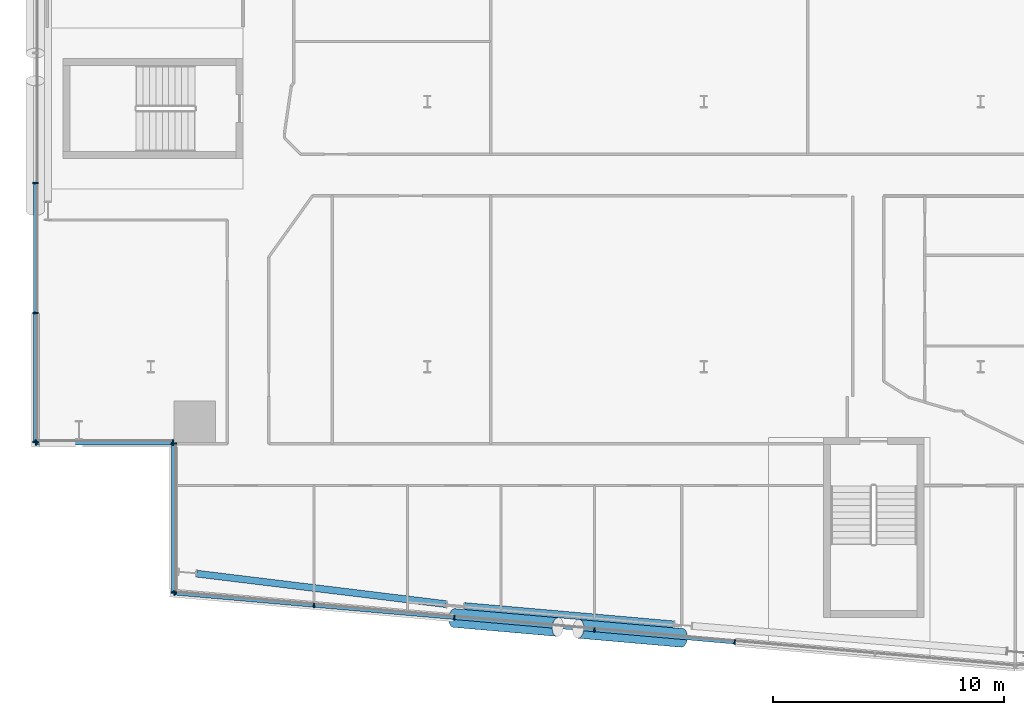
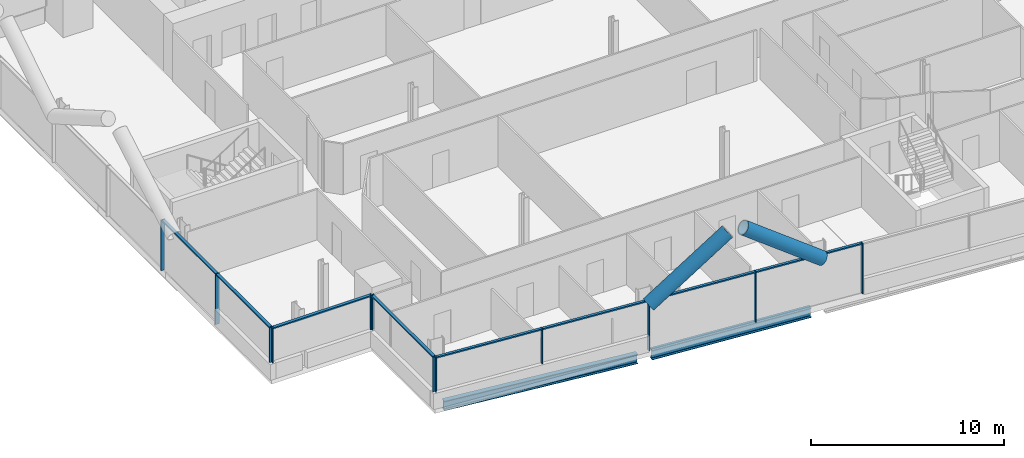
# One storey, part 5 of 27: 22 members, 2 beams, 4 elements without a shape of their own.
"""IFC4 building model written with IfcOpenShell, lengths in metres."""

from ifc_helpers import new_model, si_unit, direction, frame, origin, origin_2d, place, context, subcontext, project, spatial, rectangle, hollow_circle, i_section, extrude, material, material_profile, profile_set, type_object, element, aggregate, save


model = new_model("IFC4")

# Units and contexts
model_context = context("Model", 3, precision=1e-05, world=origin(), true_north=direction((0.0, 1.0)))
body_context = subcontext(model_context, "Body", "Model", "MODEL_VIEW")
ifc_project = project(units=[si_unit("LENGTHUNIT", "METRE"), si_unit("AREAUNIT", "SQUARE_METRE"), si_unit("VOLUMEUNIT", "CUBIC_METRE"), si_unit("PLANEANGLEUNIT", "RADIAN"), si_unit("MASSUNIT", "GRAM", prefix="KILO")], contexts=[model_context])

# Site, building, storey
site_placement = place(None, origin())
site = spatial("IfcSite", under=ifc_project, at=site_placement, CompositionType="ELEMENT")
building_placement = place(site_placement, origin())
building = spatial("IfcBuilding", under=site, at=building_placement, Name="Wharfspan Tower", CompositionType="ELEMENT")
storey_placement = place(building_placement, frame((0.0, 0.0, 136.300049)))
storey = spatial("IfcBuildingStorey", under=building, at=storey_placement, Name="L32", CompositionType="ELEMENT", Elevation=136.300049)

# Beams
ifc_material_1 = material(Name="Steel S355J2", Category="steel")
ifc_material_profile_1 = material_profile(ifc_material_1, i_section(OverallWidth=0.300049, OverallDepth=0.600098, WebThickness=0.015381, FlangeThickness=0.030029, FilletRadius=0.0271, at=origin_2d()))
ifc_profile_set_1 = profile_set([ifc_material_profile_1], Name="Steel S355J2")
beam_type = type_object("IfcBeamType", Name="Edge beam HEB 600", PredefinedType="SPANDREL", material=ifc_profile_set_1)
beam_1_placement = place(storey_placement, frame((13.990967, 2.520508, -0.699951), z_axis=(0.992611, -0.121342, 0.0), x_axis=(0.121342, 0.992611, 0.0)))
element("IfcBeam", 1, at=beam_1_placement, inside=storey, type_object=beam_type, Name="Edge beam S1 L32 PS1.1 to PS1.2", PredefinedType="SPANDREL", context=body_context, shape_type="SweptSolid", body=[
    extrude(i_section(OverallWidth=0.300049, OverallDepth=0.600098, WebThickness=0.015381, FlangeThickness=0.030029, FilletRadius=0.0271, at=origin_2d()), origin(), (0.0, 0.0, 1.0), 10.903076),
])
beam_2_placement = place(storey_placement, frame((25.615234, 1.113525, -0.699951), z_axis=(0.996195, -0.087151, 0.0), x_axis=(0.087151, 0.996195, 0.0)))
element("IfcBeam", 2, at=beam_2_placement, inside=storey, type_object=beam_type, Name="Edge beam S1 L32 PS1.2 to PS1.3", PredefinedType="SPANDREL", context=body_context, shape_type="SweptSolid", body=[
    extrude(i_section(OverallWidth=0.300049, OverallDepth=0.600098, WebThickness=0.015381, FlangeThickness=0.030029, FilletRadius=0.0271, at=origin_2d()), origin(), (0.0, 0.0, 1.0), 9.107178),
])

# Curtain wall, members
ifc_material_2 = material(Name="Aluminium 6063-T6", Category="aluminium")
curtain_wall_type_1 = type_object("IfcCurtainWallType", Name="CURTAIN WALL FACETED FRONT", PredefinedType="NOTDEFINED", material=ifc_material_2)
curtain_wall_1_placement = place(storey_placement, origin())
curtain_wall_1 = element("IfcCurtainWall", 3, at=curtain_wall_1_placement, inside=storey, type_object=curtain_wall_type_1, Name="Curtain wall S1", PredefinedType="NOTDEFINED")
ifc_material_profile_2 = material_profile(ifc_material_2, rectangle(XDim=0.199951, YDim=0.060059, at=origin_2d()))
ifc_profile_set_2 = profile_set([ifc_material_profile_2], Name="Aluminium 6063-T6")
member_type_1 = type_object("IfcMemberType", Name="MULLION FACETED FRONT 60x200", PredefinedType="MULLION", material=ifc_profile_set_2)
member_1_placement = place(storey_placement, frame((13.029785, 1.672363, 1.0), z_axis=(0.0, 0.0, 1.0), x_axis=(0.087156, 0.996198, 0.0)))
member_1 = element("IfcMember", 4, at=member_1_placement, type_object=member_type_1, Name="Curtain wall S1 mullion 1", PredefinedType="MULLION", context=body_context, shape_type="SweptSolid", body=[
    extrude(rectangle(XDim=0.199951, YDim=0.060059, at=origin_2d()), origin(), (0.0, 0.0, 1.0), 2.199951),
])
member_2_placement = place(storey_placement, frame((19.083252, 1.142822, 1.0), z_axis=(0.0, 0.0, 1.0), x_axis=(0.087156, 0.996198, 0.0)))
member_2 = element("IfcMember", 5, at=member_2_placement, type_object=member_type_1, Name="Curtain wall S1 mullion 2", PredefinedType="MULLION", context=body_context, shape_type="SweptSolid", body=[
    extrude(rectangle(XDim=0.199951, YDim=0.060059, at=origin_2d()), origin(), (0.0, 0.0, 1.0), 2.199951),
])
member_3_placement = place(storey_placement, frame((25.166748, 0.610596, 0.0), z_axis=(0.0, 0.0, 1.0), x_axis=(0.087156, 0.996198, 0.0)))
member_3 = element("IfcMember", 6, at=member_3_placement, type_object=member_type_1, Name="Curtain wall S1 mullion 3", PredefinedType="MULLION", context=body_context, shape_type="SweptSolid", body=[
    extrude(rectangle(XDim=0.199951, YDim=0.060059, at=origin_2d()), origin(), (0.0, 0.0, 1.0), 3.199951),
])
member_4_placement = place(storey_placement, frame((31.25, 0.078369, 0.0), z_axis=(0.0, 0.0, 1.0), x_axis=(0.087156, 0.996198, 0.0)))
member_4 = element("IfcMember", 7, at=member_4_placement, type_object=member_type_1, Name="Curtain wall S1 mullion 4", PredefinedType="MULLION", context=body_context, shape_type="SweptSolid", body=[
    extrude(rectangle(XDim=0.199951, YDim=0.060059, at=origin_2d()), origin(), (0.0, 0.0, 1.0), 3.199951),
])
member_5_placement = place(storey_placement, frame((37.333252, -0.453857, 0.0), z_axis=(0.0, 0.0, 1.0), x_axis=(0.087156, 0.996198, 0.0)))
member_5 = element("IfcMember", 8, at=member_5_placement, type_object=member_type_1, Name="Curtain wall S1 mullion 5", PredefinedType="MULLION", context=body_context, shape_type="SweptSolid", body=[
    extrude(rectangle(XDim=0.199951, YDim=0.060059, at=origin_2d()), origin(), (0.0, 0.0, 1.0), 3.199951),
])

curtain_wall_type_2 = type_object("IfcCurtainWallType", Name="CURTAIN WALL PROW AND END", PredefinedType="NOTDEFINED", material=ifc_material_2)
curtain_wall_2_placement = place(storey_placement, origin())
curtain_wall_2 = element("IfcCurtainWall", 9, at=curtain_wall_2_placement, inside=storey, type_object=curtain_wall_type_2, Name="Curtain wall W", PredefinedType="NOTDEFINED")
ifc_material_profile_3 = material_profile(ifc_material_2, rectangle(XDim=0.23999, YDim=0.060059, at=origin_2d()))
ifc_profile_set_3 = profile_set([ifc_material_profile_3], Name="Aluminium 6063-T6")
member_type_2 = type_object("IfcMemberType", Name="MULLION PROW AND END 60x240", PredefinedType="MULLION", material=ifc_profile_set_3)
member_6_placement = place(storey_placement, frame((7.0, 19.466553, 0.0), z_axis=(0.0, 0.0, 1.0), x_axis=(1.0, 0.0, 0.0)))
member_6 = element("IfcMember", 10, at=member_6_placement, type_object=member_type_2, Name="Curtain wall W mullion 5", PredefinedType="MULLION", context=body_context, shape_type="SweptSolid", body=[
    extrude(rectangle(XDim=0.23999, YDim=0.060059, at=origin_2d()), origin(), (0.0, 0.0, 1.0), 3.199951),
])
member_7_placement = place(storey_placement, frame((7.0, 13.833252, 0.0), z_axis=(0.0, 0.0, 1.0), x_axis=(1.0, 0.0, 0.0)))
member_7 = element("IfcMember", 11, at=member_7_placement, type_object=member_type_2, Name="Curtain wall W mullion 6", PredefinedType="MULLION", context=body_context, shape_type="SweptSolid", body=[
    extrude(rectangle(XDim=0.23999, YDim=0.060059, at=origin_2d()), origin(), (0.0, 0.0, 1.0), 3.199951),
])
member_8_placement = place(storey_placement, frame((7.0, 8.22998, 1.0), z_axis=(0.0, 0.0, 1.0), x_axis=(1.0, 0.0, 0.0)))
member_8 = element("IfcMember", 12, at=member_8_placement, type_object=member_type_2, Name="Curtain wall W mullion 7", PredefinedType="MULLION", context=body_context, shape_type="SweptSolid", body=[
    extrude(rectangle(XDim=0.23999, YDim=0.060059, at=origin_2d()), origin(), (0.0, 0.0, 1.0), 2.199951),
])

curtain_wall_3_placement = place(storey_placement, origin())
curtain_wall_3 = element("IfcCurtainWall", 13, at=curtain_wall_3_placement, inside=storey, type_object=curtain_wall_type_2, Name="Curtain wall NFW-H", PredefinedType="NOTDEFINED")
member_9_placement = place(storey_placement, frame((7.030029, 8.199951, 1.0), z_axis=(0.0, 0.0, 1.0), x_axis=(0.0, 1.0, 0.0)))
member_9 = element("IfcMember", 14, at=member_9_placement, type_object=member_type_2, Name="Curtain wall NFW-H mullion 1", PredefinedType="MULLION", context=body_context, shape_type="SweptSolid", body=[
    extrude(rectangle(XDim=0.23999, YDim=0.060059, at=origin_2d()), origin(), (0.0, 0.0, 1.0), 2.199951),
])
member_10_placement = place(storey_placement, frame((12.969971, 8.199951, 1.0), z_axis=(0.0, 0.0, 1.0), x_axis=(0.0, 1.0, 0.0)))
member_10 = element("IfcMember", 15, at=member_10_placement, type_object=member_type_2, Name="Curtain wall NFW-H mullion 2", PredefinedType="MULLION", context=body_context, shape_type="SweptSolid", body=[
    extrude(rectangle(XDim=0.23999, YDim=0.060059, at=origin_2d()), origin(), (0.0, 0.0, 1.0), 2.199951),
])

curtain_wall_4_placement = place(storey_placement, origin())
curtain_wall_4 = element("IfcCurtainWall", 16, at=curtain_wall_4_placement, inside=storey, type_object=curtain_wall_type_2, Name="Curtain wall NFW-V", PredefinedType="NOTDEFINED")
member_11_placement = place(storey_placement, frame((13.0, 8.169922, 1.0), z_axis=(0.0, 0.0, 1.0), x_axis=(1.0, 0.0, 0.0)))
member_11 = element("IfcMember", 17, at=member_11_placement, type_object=member_type_2, Name="Curtain wall NFW-V mullion 1", PredefinedType="MULLION", context=body_context, shape_type="SweptSolid", body=[
    extrude(rectangle(XDim=0.23999, YDim=0.060059, at=origin_2d()), origin(), (0.0, 0.0, 1.0), 2.199951),
])
member_12_placement = place(storey_placement, frame((13.0, 1.705078, 1.0), z_axis=(0.0, 0.0, 1.0), x_axis=(1.0, 0.0, 0.0)))
member_12 = element("IfcMember", 18, at=member_12_placement, type_object=member_type_2, Name="Curtain wall NFW-V mullion 2", PredefinedType="MULLION", context=body_context, shape_type="SweptSolid", body=[
    extrude(rectangle(XDim=0.23999, YDim=0.060059, at=origin_2d()), origin(), (0.0, 0.0, 1.0), 2.199951),
])

# Members
ifc_material_3 = material(Name="Steel S460NH", Category="steel")
ifc_material_profile_4 = material_profile(ifc_material_3, hollow_circle(Radius=0.406494, WallThickness=0.040039, at=origin_2d()))
ifc_profile_set_4 = profile_set([ifc_material_profile_4], Name="Steel S460NH")
member_type_3 = type_object("IfcMemberType", Name="Mega brace CHS 813x40", PredefinedType="BRACE", material=ifc_profile_set_4)
member_13_placement = place(storey_placement, frame((25.165283, 0.595703, 2.899902), z_axis=(0.80603, -0.070526, 0.587658), x_axis=(0.087167, 0.996192, -3e-06)))
element("IfcMember", 19, at=member_13_placement, inside=storey, type_object=member_type_3, Name="Mega brace S1 L33 part 1", PredefinedType="BRACE", context=body_context, shape_type="SweptSolid", body=[
    extrude(hollow_circle(Radius=0.406494, WallThickness=0.040039, at=origin_2d()), origin(), (0.0, 0.0, 1.0), 5.569824),
])
member_14_placement = place(storey_placement, frame((35.040771, -0.268311, 2.899902), z_axis=(-0.806015, 0.070528, 0.587679), x_axis=(-0.087171, -0.996191, -3e-06)))
element("IfcMember", 20, at=member_14_placement, inside=storey, type_object=member_type_3, Name="Mega brace S1 L33 part 3", PredefinedType="BRACE", context=body_context, shape_type="SweptSolid", body=[
    extrude(hollow_circle(Radius=0.406494, WallThickness=0.040039, at=origin_2d()), origin(), (0.0, 0.0, 1.0), 5.56958),
])

# Member
ifc_material_profile_5 = material_profile(ifc_material_2, rectangle(XDim=0.159912, YDim=0.080078, at=origin_2d()))
ifc_profile_set_5 = profile_set([ifc_material_profile_5], Name="Aluminium 6063-T6")
member_type_4 = type_object("IfcMemberType", Name="TRANSOM FACETED FRONT 80x160", PredefinedType="USERDEFINED", material=ifc_profile_set_5)
member_15_placement = place(storey_placement, frame((13.059814, 1.669922, 3.159912), z_axis=(0.996194, -0.087162, 0.0), x_axis=(0.087162, 0.996194, 0.0)))
member_15 = element("IfcMember", 21, at=member_15_placement, type_object=member_type_4, Name="Curtain wall S1 transom 1", ObjectType="TRANSOM", PredefinedType="USERDEFINED", context=body_context, shape_type="SweptSolid", body=[
    extrude(rectangle(XDim=0.159912, YDim=0.080078, at=origin_2d()), origin(), (0.0, 0.0, 1.0), 6.016602),
])

member_16_placement = place(storey_placement, frame((19.113281, 1.140137, 3.159912), z_axis=(0.996197, -0.087135, 0.0), x_axis=(0.087135, 0.996197, 0.0)))
member_16 = element("IfcMember", 22, at=member_16_placement, type_object=member_type_4, Name="Curtain wall S1 transom 2", ObjectType="TRANSOM", PredefinedType="USERDEFINED", context=body_context, shape_type="SweptSolid", body=[
    extrude(rectangle(XDim=0.159912, YDim=0.080078, at=origin_2d()), origin(), (0.0, 0.0, 1.0), 6.046387),
])

member_17_placement = place(storey_placement, frame((25.196533, 0.60791, 3.159912), z_axis=(0.996197, -0.087131, 0.0), x_axis=(0.087131, 0.996197, 0.0)))
member_17 = element("IfcMember", 23, at=member_17_placement, type_object=member_type_4, Name="Curtain wall S1 transom 3", ObjectType="TRANSOM", PredefinedType="USERDEFINED", context=body_context, shape_type="SweptSolid", body=[
    extrude(rectangle(XDim=0.159912, YDim=0.080078, at=origin_2d()), origin(), (0.0, 0.0, 1.0), 6.046631),
])

member_18_placement = place(storey_placement, frame((31.279785, 0.075684, 3.159912), z_axis=(0.996197, -0.087131, 0.0), x_axis=(0.087131, 0.996197, 0.0)))
member_18 = element("IfcMember", 24, at=member_18_placement, type_object=member_type_4, Name="Curtain wall S1 transom 4", ObjectType="TRANSOM", PredefinedType="USERDEFINED", context=body_context, shape_type="SweptSolid", body=[
    extrude(rectangle(XDim=0.159912, YDim=0.080078, at=origin_2d()), origin(), (0.0, 0.0, 1.0), 6.046631),
])

aggregate(curtain_wall_1, [member_1, member_2, member_3, member_4, member_5, member_15, member_16, member_17, member_18])

ifc_material_profile_6 = material_profile(ifc_material_2, rectangle(XDim=0.179932, YDim=0.080078, at=origin_2d()))
ifc_profile_set_6 = profile_set([ifc_material_profile_6], Name="Aluminium 6063-T6")
member_type_5 = type_object("IfcMemberType", Name="TRANSOM PROW AND END 80x180", PredefinedType="USERDEFINED", material=ifc_profile_set_6)
member_19_placement = place(storey_placement, frame((7.0, 19.436768, 3.159912), z_axis=(0.0, -1.0, 0.0), x_axis=(1.0, 0.0, 0.0)))
member_19 = element("IfcMember", 25, at=member_19_placement, type_object=member_type_5, Name="Curtain wall W transom 5", ObjectType="TRANSOM", PredefinedType="USERDEFINED", context=body_context, shape_type="SweptSolid", body=[
    extrude(rectangle(XDim=0.179932, YDim=0.080078, at=origin_2d()), origin(), (0.0, 0.0, 1.0), 5.573486),
])

member_20_placement = place(storey_placement, frame((7.0, 13.803223, 3.159912), z_axis=(0.0, -1.0, 0.0), x_axis=(1.0, 0.0, 0.0)))
member_20 = element("IfcMember", 26, at=member_20_placement, type_object=member_type_5, Name="Curtain wall W transom 6", ObjectType="TRANSOM", PredefinedType="USERDEFINED", context=body_context, shape_type="SweptSolid", body=[
    extrude(rectangle(XDim=0.179932, YDim=0.080078, at=origin_2d()), origin(), (0.0, 0.0, 1.0), 5.543213),
])

aggregate(curtain_wall_2, [member_6, member_7, member_8, member_19, member_20])

member_21_placement = place(storey_placement, frame((7.060059, 8.199951, 3.159912), z_axis=(1.0, 0.0, 0.0), x_axis=(0.0, 1.0, 0.0)))
member_21 = element("IfcMember", 27, at=member_21_placement, type_object=member_type_5, Name="Curtain wall NFW-H transom 1", ObjectType="TRANSOM", PredefinedType="USERDEFINED", context=body_context, shape_type="SweptSolid", body=[
    extrude(rectangle(XDim=0.179932, YDim=0.080078, at=origin_2d()), origin(), (0.0, 0.0, 1.0), 5.879883),
])

aggregate(curtain_wall_3, [member_9, member_10, member_21])

member_22_placement = place(storey_placement, frame((13.0, 8.139893, 3.159912), z_axis=(0.0, -1.0, 0.0), x_axis=(1.0, 0.0, 0.0)))
member_22 = element("IfcMember", 28, at=member_22_placement, type_object=member_type_5, Name="Curtain wall NFW-V transom 1", ObjectType="TRANSOM", PredefinedType="USERDEFINED", context=body_context, shape_type="SweptSolid", body=[
    extrude(rectangle(XDim=0.179932, YDim=0.080078, at=origin_2d()), origin(), (0.0, 0.0, 1.0), 6.404785),
])

aggregate(curtain_wall_4, [member_11, member_12, member_22])

save(model, "model.ifc")
